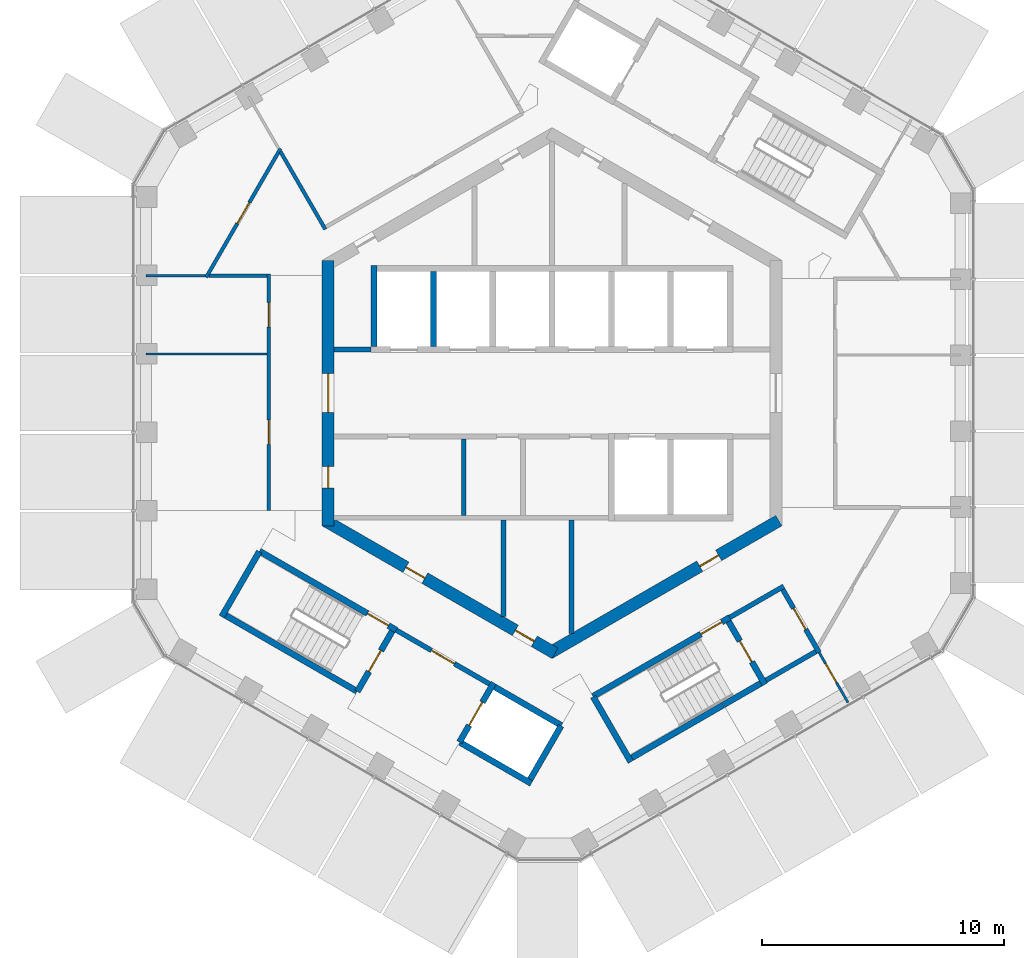
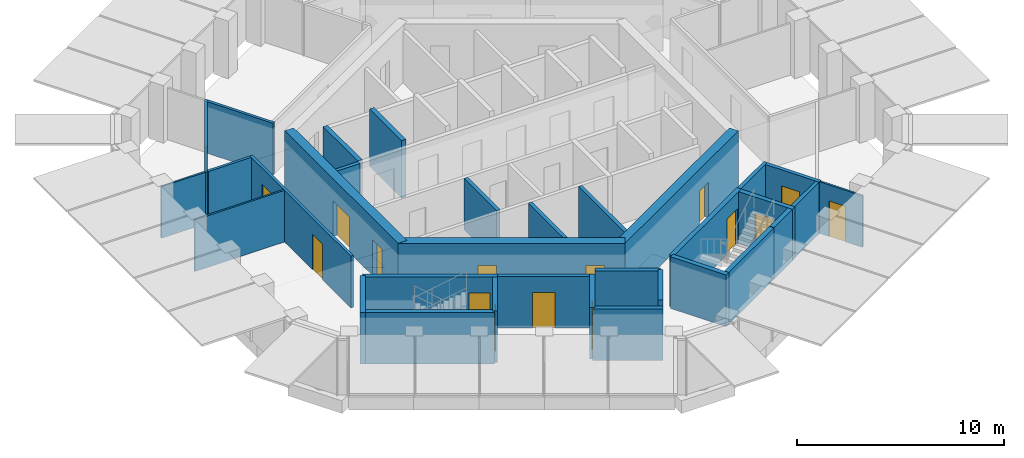
# One storey, part 12 of 17: 33 walls, 16 doors, 16 openings.
"""IFC4 building model written with IfcOpenShell, lengths in metres."""

from ifc_helpers import new_model, si_unit, direction, frame, frame_2d, origin, place, context, subcontext, project, spatial, rectangle, extrude, material, layer, layer_set, type_object, element, fill, save


model = new_model("IFC4")

# Units and contexts
model_context = context("Model", 3, precision=1e-05, world=origin(), true_north=direction((0.0, 1.0)))
body_context = subcontext(model_context, "Body", "Model", "MODEL_VIEW")
ifc_project = project(units=[si_unit("LENGTHUNIT", "METRE"), si_unit("AREAUNIT", "SQUARE_METRE"), si_unit("VOLUMEUNIT", "CUBIC_METRE"), si_unit("PLANEANGLEUNIT", "RADIAN"), si_unit("MASSUNIT", "GRAM", prefix="KILO")], contexts=[model_context])

# Site, building, storey
site_placement = place(None, origin())
site = spatial("IfcSite", under=ifc_project, at=site_placement, CompositionType="ELEMENT")
building_placement = place(site_placement, origin())
building = spatial("IfcBuilding", under=site, at=building_placement, Name="Ayvan Gate Tower", CompositionType="ELEMENT")
storey_placement = place(building_placement, frame((0.0, 0.0, 225.699951171875)))
storey = spatial("IfcBuildingStorey", under=building, at=storey_placement, Name="L60", CompositionType="ELEMENT", Elevation=225.699951171875)

# Wall, openings, doors
ifc_material_1 = material(Name="Concrete C60/75", Category="concrete")
ifc_layer_1 = layer(ifc_material_1, 0.5)
ifc_layer_set_1 = layer_set([ifc_layer_1], Name="Concrete C60/75")
wall_type_1 = type_object("IfcWallType", Name="Core wall 500 C60/75", PredefinedType="SHEAR", material=ifc_layer_set_1)
wall_1_placement = place(storey_placement, frame((-9.25, 5.48486328125, 0.0), z_axis=(0.0, 0.0, 1.0), x_axis=(0.0, -1.0, 0.0)))
wall_1 = element("IfcWall", 1, at=wall_1_placement, inside=storey, type_object=wall_type_1, Name="CORE-L60-3", PredefinedType="SHEAR", context=body_context, shape_type="SweptSolid", body=[
    extrude(rectangle(XDim=10.9697265625, YDim=0.5, at=frame_2d((5.48486328125, 0.0))), origin(), (0.0, 0.0, 1.0), 3.400146484375),
])
opening_1_placement = place(wall_1_placement, frame((8.509765625, 0.0, 0.0)))
opening_1 = element("IfcOpeningElement", 2, at=opening_1_placement, cuts=wall_1, Name="Opening L60-D41", PredefinedType="OPENING", context=body_context, shape_type="SweptSolid", body=[
    extrude(rectangle(XDim=0.89990234375, YDim=2.10009765625, at=frame_2d((0.449951171875, 1.050048828125))), frame((0.0, 0.260009765625, 0.0), z_axis=(0.0, -1.0, 0.0), x_axis=(1.0, 0.0, 0.0)), (0.0, 0.0, 1.0), 0.52001953125),
])
opening_2_placement = place(wall_1_placement, frame((4.684814453125, 0.0, 0.0)))
opening_2 = element("IfcOpeningElement", 3, at=opening_2_placement, cuts=wall_1, Name="Opening L60-D43", PredefinedType="OPENING", context=body_context, shape_type="SweptSolid", body=[
    extrude(rectangle(XDim=1.60009765625, YDim=2.10009765625, at=frame_2d((0.800048828125, 1.050048828125))), frame((0.0, 0.260009765625, 0.0), z_axis=(0.0, -1.0, 0.0), x_axis=(1.0, 0.0, 0.0)), (0.0, 0.0, 1.0), 0.52001953125),
])
ifc_material_2 = material(Name="Timber door leaf", Category="wood")
door_type_1 = type_object("IfcDoorType", Name="DT-1600", OperationType="NOTDEFINED", PredefinedType="DOOR", material=ifc_material_2)
door_1_placement = place(opening_2_placement, origin())
door_1 = element("IfcDoor", 4, at=door_1_placement, inside=storey, type_object=door_type_1, Name="CD-L60-43", OperationType="SINGLE_SWING_LEFT", OverallHeight=2.10009765625, OverallWidth=1.60009765625, PredefinedType="DOOR", context=body_context, shape_type="SweptSolid", body=[
    extrude(rectangle(XDim=1.60009765625, YDim=2.10009765625, at=frame_2d((0.800048828125, 1.050048828125))), frame((0.0, 0.02490234375, 0.0), z_axis=(0.0, -1.0, 0.0), x_axis=(1.0, 0.0, 0.0)), (0.0, 0.0, 1.0), 0.050048828125),
])
fill(opening_2, door_1)
door_type_2 = type_object("IfcDoorType", Name="DT-900", OperationType="NOTDEFINED", PredefinedType="DOOR", material=ifc_material_2)
door_2_placement = place(opening_1_placement, origin())
door_2 = element("IfcDoor", 5, at=door_2_placement, inside=storey, type_object=door_type_2, Name="CD-L60-41", OperationType="SINGLE_SWING_LEFT", OverallHeight=2.10009765625, OverallWidth=0.89990234375, PredefinedType="DOOR", context=body_context, shape_type="SweptSolid", body=[
    extrude(rectangle(XDim=0.89990234375, YDim=2.10009765625, at=frame_2d((0.449951171875, 1.050048828125))), frame((0.0, 0.02490234375, 0.0), z_axis=(0.0, -1.0, 0.0), x_axis=(1.0, 0.0, 0.0)), (0.0, 0.0, 1.0), 0.050048828125),
])
fill(opening_1, door_2)

wall_2_placement = place(storey_placement, frame((-9.375, -5.268310546875, 0.0), z_axis=(0.0, 0.0, 1.0), x_axis=(0.866023993627, -0.500002442456, 0.0)))
wall_2 = element("IfcWall", 6, at=wall_2_placement, inside=storey, type_object=wall_type_1, Name="CORE-L60-4", PredefinedType="SHEAR", context=body_context, shape_type="SweptSolid", body=[
    extrude(rectangle(XDim=10.9697265625, YDim=0.5, at=frame_2d((5.48486328125, 0.0))), origin(), (0.0, 0.0, 1.0), 3.400146484375),
])
opening_3_placement = place(wall_2_placement, frame((3.857177734375, 0.0, 0.0)))
opening_3 = element("IfcOpeningElement", 7, at=opening_3_placement, cuts=wall_2, Name="Opening L60-D38", PredefinedType="OPENING", context=body_context, shape_type="SweptSolid", body=[
    extrude(rectangle(XDim=0.89990234375, YDim=2.10009765625, at=frame_2d((0.449951171875, 1.050048828125))), frame((0.0, 0.260009765625, 0.0), z_axis=(0.0, -1.0, 0.0), x_axis=(1.0, 0.0, 0.0)), (0.0, 0.0, 1.0), 0.52001953125),
])
opening_4_placement = place(wall_2_placement, frame((9.07568359375, 0.0, 0.0)))
opening_4 = element("IfcOpeningElement", 8, at=opening_4_placement, cuts=wall_2, Name="Opening L60-D39", PredefinedType="OPENING", context=body_context, shape_type="SweptSolid", body=[
    extrude(rectangle(XDim=0.89990234375, YDim=2.10009765625, at=frame_2d((0.449951171875, 1.050048828125))), frame((0.0, 0.260009765625, 0.0), z_axis=(0.0, -1.0, 0.0), x_axis=(1.0, 0.0, 0.0)), (0.0, 0.0, 1.0), 0.52001953125),
])
door_3_placement = place(opening_3_placement, origin())
door_3 = element("IfcDoor", 9, at=door_3_placement, inside=storey, type_object=door_type_2, Name="CD-L60-38", OperationType="SINGLE_SWING_RIGHT", OverallHeight=2.10009765625, OverallWidth=0.89990234375, PredefinedType="DOOR", context=body_context, shape_type="SweptSolid", body=[
    extrude(rectangle(XDim=0.89990234375, YDim=2.10009765625, at=frame_2d((0.449951171875, 1.050048828125))), frame((0.0, 0.02490234375, 0.0), z_axis=(0.0, -1.0, 0.0), x_axis=(1.0, 0.0, 0.0)), (0.0, 0.0, 1.0), 0.050048828125),
])
fill(opening_3, door_3)
door_4_placement = place(opening_4_placement, origin())
door_4 = element("IfcDoor", 10, at=door_4_placement, inside=storey, type_object=door_type_2, Name="CD-L60-39", OperationType="SINGLE_SWING_LEFT", OverallHeight=2.10009765625, OverallWidth=0.89990234375, PredefinedType="DOOR", context=body_context, shape_type="SweptSolid", body=[
    extrude(rectangle(XDim=0.89990234375, YDim=2.10009765625, at=frame_2d((0.449951171875, 1.050048828125))), frame((0.0, 0.02490234375, 0.0), z_axis=(0.0, -1.0, 0.0), x_axis=(1.0, 0.0, 0.0)), (0.0, 0.0, 1.0), 0.050048828125),
])
fill(opening_4, door_4)

# Wall, opening, door
wall_3_placement = place(storey_placement, frame((-0.125, -10.753173828125, 0.0), z_axis=(0.0, 0.0, 1.0), x_axis=(0.866023993627, 0.500002442456, 0.0)))
wall_3 = element("IfcWall", 11, at=wall_3_placement, inside=storey, type_object=wall_type_1, Name="CORE-L60-5", PredefinedType="SHEAR", context=body_context, shape_type="SweptSolid", body=[
    extrude(rectangle(XDim=10.9697265625, YDim=0.5, at=frame_2d((5.48486328125, 0.0))), origin(), (0.0, 0.0, 1.0), 3.400146484375),
])
opening_5_placement = place(wall_3_placement, frame((7.1953125, 0.0, 0.0)))
opening_5 = element("IfcOpeningElement", 12, at=opening_5_placement, cuts=wall_3, Name="Opening L60-D40", PredefinedType="OPENING", context=body_context, shape_type="SweptSolid", body=[
    extrude(rectangle(XDim=0.89990234375, YDim=2.10009765625, at=frame_2d((0.449951171875, 1.050048828125))), frame((0.0, 0.260009765625, 0.0), z_axis=(0.0, -1.0, 0.0), x_axis=(1.0, 0.0, 0.0)), (0.0, 0.0, 1.0), 0.52001953125),
])
door_5_placement = place(opening_5_placement, origin())
door_5 = element("IfcDoor", 13, at=door_5_placement, inside=storey, type_object=door_type_2, Name="CD-L60-40", OperationType="SINGLE_SWING_RIGHT", OverallHeight=2.10009765625, OverallWidth=0.89990234375, PredefinedType="DOOR", context=body_context, shape_type="SweptSolid", body=[
    extrude(rectangle(XDim=0.89990234375, YDim=2.10009765625, at=frame_2d((0.449951171875, 1.050048828125))), frame((0.0, 0.02490234375, 0.0), z_axis=(0.0, -1.0, 0.0), x_axis=(1.0, 0.0, 0.0)), (0.0, 0.0, 1.0), 0.050048828125),
])
fill(opening_5, door_5)

ifc_material_3 = material(Name="Plasterboard on steel stud", Category="steel")
ifc_layer_2 = layer(ifc_material_3, 0.14990234375)
ifc_layer_set_2 = layer_set([ifc_layer_2], Name="Plasterboard on steel stud")
wall_type_2 = type_object("IfcWallType", Name="WT-CORR-150", PredefinedType="PARTITIONING", material=ifc_layer_set_2)
wall_4_placement = place(storey_placement, frame((-14.2880859375, 4.786865234375, 0.0), z_axis=(0.0, 0.0, 1.0), x_axis=(0.499984068593, 0.866034601591, 0.0)))
wall_4 = element("IfcWall", 14, at=wall_4_placement, inside=storey, type_object=wall_type_2, Name="IW-L60-001", PredefinedType="PARTITIONING", context=body_context, shape_type="SweptSolid", body=[
    extrude(rectangle(XDim=6.139404296875, YDim=0.14990234375, at=frame_2d((3.06982421875, 0.0))), origin(), (0.0, 0.0, 1.0), 3.050048828125),
])
opening_6_placement = place(wall_4_placement, frame((2.569580078125, 0.0, 0.0)))
opening_6 = element("IfcOpeningElement", 15, at=opening_6_placement, cuts=wall_4, Name="Opening L60-D28", PredefinedType="OPENING", context=body_context, shape_type="SweptSolid", body=[
    extrude(rectangle(XDim=1.0, YDim=2.10009765625, at=frame_2d((0.5, 1.050048828125))), frame((0.0, 0.0849609375, 0.0), z_axis=(0.0, -1.0, 0.0), x_axis=(1.0, 0.0, 0.0)), (0.0, 0.0, 1.0), 0.169921875),
])
door_type_3 = type_object("IfcDoorType", Name="DT-1000", OperationType="NOTDEFINED", PredefinedType="DOOR", material=ifc_material_2)
door_6_placement = place(opening_6_placement, origin())
door_6 = element("IfcDoor", 16, at=door_6_placement, inside=storey, type_object=door_type_3, Name="ID-L60-028", OperationType="SINGLE_SWING_RIGHT", OverallHeight=2.10009765625, OverallWidth=1.0, PredefinedType="DOOR", context=body_context, shape_type="SweptSolid", body=[
    extrude(rectangle(XDim=1.0, YDim=2.10009765625, at=frame_2d((0.5, 1.050048828125))), frame((0.0, 0.02490234375, 0.0), z_axis=(0.0, -1.0, 0.0), x_axis=(1.0, 0.0, 0.0)), (0.0, 0.0, 1.0), 0.050048828125),
])
fill(opening_6, door_6)

# Wall, openings, doors
wall_5_placement = place(storey_placement, frame((-11.699951171875, -4.851806640625, 0.0), z_axis=(0.0, 0.0, 1.0), x_axis=(0.0, 1.0, 0.0)))
wall_5 = element("IfcWall", 17, at=wall_5_placement, inside=storey, type_object=wall_type_2, Name="IW-L60-005", PredefinedType="PARTITIONING", context=body_context, shape_type="SweptSolid", body=[
    extrude(rectangle(XDim=9.77880859375, YDim=0.14990234375, at=frame_2d((4.889404296875, 0.0))), origin(), (0.0, 0.0, 1.0), 3.050048828125),
])
opening_7_placement = place(wall_5_placement, frame((7.58642578125, 0.0, 0.0)))
opening_7 = element("IfcOpeningElement", 18, at=opening_7_placement, cuts=wall_5, Name="Opening L60-D29", PredefinedType="OPENING", context=body_context, shape_type="SweptSolid", body=[
    extrude(rectangle(XDim=1.0, YDim=2.10009765625, at=frame_2d((0.5, 1.050048828125))), frame((0.0, 0.0849609375, 0.0), z_axis=(0.0, -1.0, 0.0), x_axis=(1.0, 0.0, 0.0)), (0.0, 0.0, 1.0), 0.169921875),
])
opening_8_placement = place(wall_5_placement, frame((2.734130859375, 0.0, 0.0)))
opening_8 = element("IfcOpeningElement", 19, at=opening_8_placement, cuts=wall_5, Name="Opening L60-D30", PredefinedType="OPENING", context=body_context, shape_type="SweptSolid", body=[
    extrude(rectangle(XDim=1.0, YDim=2.10009765625, at=frame_2d((0.5, 1.050048828125))), frame((0.0, 0.0849609375, 0.0), z_axis=(0.0, -1.0, 0.0), x_axis=(1.0, 0.0, 0.0)), (0.0, 0.0, 1.0), 0.169921875),
])
door_7_placement = place(opening_7_placement, origin())
door_7 = element("IfcDoor", 20, at=door_7_placement, inside=storey, type_object=door_type_3, Name="ID-L60-029", OperationType="SINGLE_SWING_LEFT", OverallHeight=2.10009765625, OverallWidth=1.0, PredefinedType="DOOR", context=body_context, shape_type="SweptSolid", body=[
    extrude(rectangle(XDim=1.0, YDim=2.10009765625, at=frame_2d((0.5, 1.050048828125))), frame((0.0, 0.02490234375, 0.0), z_axis=(0.0, -1.0, 0.0), x_axis=(1.0, 0.0, 0.0)), (0.0, 0.0, 1.0), 0.050048828125),
])
fill(opening_7, door_7)
door_8_placement = place(opening_8_placement, origin())
door_8 = element("IfcDoor", 21, at=door_8_placement, inside=storey, type_object=door_type_3, Name="ID-L60-030", OperationType="SINGLE_SWING_RIGHT", OverallHeight=2.10009765625, OverallWidth=1.0, PredefinedType="DOOR", context=body_context, shape_type="SweptSolid", body=[
    extrude(rectangle(XDim=1.0, YDim=2.10009765625, at=frame_2d((0.5, 1.050048828125))), frame((0.0, 0.02490234375, 0.0), z_axis=(0.0, -1.0, 0.0), x_axis=(1.0, 0.0, 0.0)), (0.0, 0.0, 1.0), 0.050048828125),
])
fill(opening_8, door_8)

# Walls
wall_6_placement = place(storey_placement, frame((-11.77490234375, 4.851806640625, 0.0), z_axis=(0.0, 0.0, 1.0), x_axis=(-1.0, 0.0, 0.0)))
element("IfcWall", 22, at=wall_6_placement, inside=storey, type_object=wall_type_2, Name="IW-L60-007", PredefinedType="PARTITIONING", context=body_context, shape_type="SweptSolid", body=[
    extrude(rectangle(XDim=2.40087890625, YDim=0.14990234375, at=frame_2d((1.200439453125, 0.0))), origin(), (0.0, 0.0, 1.0), 3.050048828125),
])
wall_7_placement = place(storey_placement, frame((-11.218505859375, 9.973876953125, 0.0), z_axis=(0.0, 0.0, 1.0), x_axis=(0.500040243496, -0.866002167944, 0.0)))
element("IfcWall", 23, at=wall_7_placement, inside=storey, type_object=wall_type_2, Name="IW-L60-008", PredefinedType="PARTITIONING", context=body_context, shape_type="SweptSolid", body=[
    extrude(rectangle(XDim=3.701904296875, YDim=0.14990234375, at=frame_2d((1.85107421875, 0.0))), origin(), (0.0, 0.0, 1.0), 3.050048828125),
])
ifc_layer_3 = layer(ifc_material_3, 0.10009765625)
ifc_layer_set_3 = layer_set([ifc_layer_3], Name="Plasterboard on steel stud")
wall_type_3 = type_object("IfcWallType", Name="WT-PART-100", PredefinedType="PARTITIONING", material=ifc_layer_set_3)
wall_8_placement = place(storey_placement, frame((-14.32568359375, 4.851806640625, 0.0), z_axis=(0.0, 0.0, 1.0), x_axis=(-1.0, 0.0, 0.0)))
element("IfcWall", 24, at=wall_8_placement, inside=storey, type_object=wall_type_3, Name="IW-L60-000", PredefinedType="PARTITIONING", context=body_context, shape_type="SweptSolid", body=[
    extrude(rectangle(XDim=2.443115234375, YDim=0.10009765625, at=frame_2d((1.2216796875, 0.0))), origin(), (0.0, 0.0, 1.0), 3.050048828125),
])
wall_9_placement = place(storey_placement, frame((-11.77490234375, 1.6171875, 0.0), z_axis=(0.0, 0.0, 1.0), x_axis=(-1.0, 0.0, 0.0)))
element("IfcWall", 25, at=wall_9_placement, inside=storey, type_object=wall_type_3, Name="IW-L60-006", PredefinedType="PARTITIONING", context=body_context, shape_type="SweptSolid", body=[
    extrude(rectangle(XDim=4.993896484375, YDim=0.10009765625, at=frame_2d((2.4970703125, 0.0))), origin(), (0.0, 0.0, 1.0), 3.050048828125),
])

# Wall, opening, door
wall_10_placement = place(storey_placement, frame((12.232177734375, -12.786865234375, 0.0), z_axis=(0.0, 0.0, 1.0), x_axis=(-0.499940577336, 0.866059708757, 0.0)))
wall_10 = element("IfcWall", 26, at=wall_10_placement, inside=storey, type_object=wall_type_3, Name="IW-L60-070", PredefinedType="PARTITIONING", context=body_context, shape_type="SweptSolid", body=[
    extrude(rectangle(XDim=2.389892578125, YDim=0.10009765625, at=frame_2d((1.19482421875, 0.0))), origin(), (0.0, 0.0, 1.0), 3.050048828125),
])
opening_9_placement = place(wall_10_placement, frame((0.95556640625, 0.0, 0.0)))
opening_9 = element("IfcOpeningElement", 27, at=opening_9_placement, cuts=wall_10, Name="Opening L60-D32", PredefinedType="OPENING", context=body_context, shape_type="SweptSolid", body=[
    extrude(rectangle(XDim=0.89990234375, YDim=2.10009765625, at=frame_2d((0.449951171875, 1.050048828125))), frame((0.0, 0.06005859375, 0.0), z_axis=(0.0, -1.0, 0.0), x_axis=(1.0, 0.0, 0.0)), (0.0, 0.0, 1.0), 0.1201171875),
])
door_9_placement = place(opening_9_placement, origin())
door_9 = element("IfcDoor", 28, at=door_9_placement, inside=storey, type_object=door_type_2, Name="ID-L60-032", OperationType="SINGLE_SWING_RIGHT", OverallHeight=2.10009765625, OverallWidth=0.89990234375, PredefinedType="DOOR", context=body_context, shape_type="SweptSolid", body=[
    extrude(rectangle(XDim=0.89990234375, YDim=2.10009765625, at=frame_2d((0.449951171875, 1.050048828125))), frame((0.0, 0.02490234375, 0.0), z_axis=(0.0, -1.0, 0.0), x_axis=(1.0, 0.0, 0.0)), (0.0, 0.0, 1.0), 0.050048828125),
])
fill(opening_9, door_9)

# Wall
ifc_layer_4 = layer(ifc_material_3, 0.199951171875)
ifc_layer_set_4 = layer_set([ifc_layer_4], Name="Plasterboard on steel stud")
wall_type_4 = type_object("IfcWallType", Name="WT-RATED-200", PredefinedType="PARTITIONING", material=ifc_layer_set_4)
wall_11_placement = place(storey_placement, frame((-9.0, 1.800048828125, 0.0), z_axis=(0.0, 0.0, 1.0), x_axis=(1.0, 0.0, 0.0)))
element("IfcWall", 29, at=wall_11_placement, inside=storey, type_object=wall_type_4, Name="IW-L60-010", PredefinedType="PARTITIONING", context=body_context, shape_type="SweptSolid", body=[
    extrude(rectangle(XDim=1.525146484375, YDim=0.199951171875, at=frame_2d((0.7626953125, 0.0))), origin(), (0.0, 0.0, 1.0), 3.050048828125),
])

# Wall, opening, door
wall_12_placement = place(storey_placement, frame((-6.4345703125, -9.794921875, 0.0), z_axis=(0.0, 0.0, 1.0), x_axis=(0.866012907634, -0.500021643343, 0.0)))
wall_12 = element("IfcWall", 30, at=wall_12_placement, inside=storey, type_object=wall_type_4, Name="IW-L60-017", PredefinedType="PARTITIONING", context=body_context, shape_type="SweptSolid", body=[
    extrude(rectangle(XDim=4.449951171875, YDim=0.199951171875, at=frame_2d((2.22509765625, 0.0))), origin(), (0.0, 0.0, 1.0), 3.050048828125),
])
opening_10_placement = place(wall_12_placement, frame((1.675048828125, 0.0, 0.0)))
opening_10 = element("IfcOpeningElement", 31, at=opening_10_placement, cuts=wall_12, Name="Opening L60-D17", PredefinedType="OPENING", context=body_context, shape_type="SweptSolid", body=[
    extrude(rectangle(XDim=1.10009765625, YDim=2.10009765625, at=frame_2d((0.550048828125, 1.050048828125))), frame((0.0, 0.10986328125, 0.0), z_axis=(0.0, -1.0, 0.0), x_axis=(1.0, 0.0, 0.0)), (0.0, 0.0, 1.0), 0.219970703125),
])
door_type_4 = type_object("IfcDoorType", Name="DT-1100", OperationType="NOTDEFINED", PredefinedType="DOOR", material=ifc_material_2)
door_10_placement = place(opening_10_placement, origin())
door_10 = element("IfcDoor", 32, at=door_10_placement, inside=storey, type_object=door_type_4, Name="ID-L60-017", OperationType="SINGLE_SWING_LEFT", OverallHeight=2.10009765625, OverallWidth=1.10009765625, PredefinedType="DOOR", context=body_context, shape_type="SweptSolid", body=[
    extrude(rectangle(XDim=1.10009765625, YDim=2.10009765625, at=frame_2d((0.550048828125, 1.050048828125))), frame((0.0, 0.02490234375, 0.0), z_axis=(0.0, -1.0, 0.0), x_axis=(1.0, 0.0, 0.0)), (0.0, 0.0, 1.0), 0.050048828125),
])
fill(opening_10, door_10)

# Walls
wall_13_placement = place(storey_placement, frame((-3.64990234375, -1.89990234375, 0.0), z_axis=(0.0, 0.0, 1.0), x_axis=(0.0, -1.0, 0.0)))
element("IfcWall", 33, at=wall_13_placement, inside=storey, type_object=wall_type_4, Name="IW-L60-019", PredefinedType="PARTITIONING", context=body_context, shape_type="SweptSolid", body=[
    extrude(rectangle(XDim=3.150146484375, YDim=0.199951171875, at=frame_2d((1.5751953125, 0.0))), origin(), (0.0, 0.0, 1.0), 3.050048828125),
])
wall_14_placement = place(storey_placement, frame((-2.0, -5.25, 0.0), z_axis=(0.0, 0.0, 1.0), x_axis=(0.0, -1.0, 0.0)))
element("IfcWall", 34, at=wall_14_placement, inside=storey, type_object=wall_type_4, Name="IW-L60-027", PredefinedType="PARTITIONING", context=body_context, shape_type="SweptSolid", body=[
    extrude(rectangle(XDim=3.987548828125, YDim=0.199951171875, at=frame_2d((1.99365234375, 0.0))), origin(), (0.0, 0.0, 1.0), 3.050048828125),
])
wall_15_placement = place(storey_placement, frame((0.800048828125, -5.25, 0.0), z_axis=(0.0, 0.0, 1.0), x_axis=(0.0, -1.0, 0.0)))
element("IfcWall", 35, at=wall_15_placement, inside=storey, type_object=wall_type_4, Name="IW-L60-036", PredefinedType="PARTITIONING", context=body_context, shape_type="SweptSolid", body=[
    extrude(rectangle(XDim=4.680419921875, YDim=0.199951171875, at=frame_2d((2.34033203125, 0.0))), origin(), (0.0, 0.0, 1.0), 3.050048828125),
])
wall_16_placement = place(storey_placement, frame((7.343994140625, -9.27001953125, 0.0), z_axis=(0.0, 0.0, 1.0), x_axis=(0.866005588531, 0.500034319456, 0.0)))
element("IfcWall", 36, at=wall_16_placement, inside=storey, type_object=wall_type_4, Name="IW-L60-056", PredefinedType="PARTITIONING", context=body_context, shape_type="SweptSolid", body=[
    extrude(rectangle(XDim=2.574951171875, YDim=0.199951171875, at=frame_2d((1.28759765625, 0.0))), origin(), (0.0, 0.0, 1.0), 3.050048828125),
])

# Wall, opening, door
wall_17_placement = place(storey_placement, frame((9.537353515625, -8.119140625, 0.0), z_axis=(0.0, 0.0, 1.0), x_axis=(0.499990139034, -0.866031096941, 0.0)))
wall_17 = element("IfcWall", 37, at=wall_17_placement, inside=storey, type_object=wall_type_4, Name="IW-L60-065", PredefinedType="PARTITIONING", context=body_context, shape_type="SweptSolid", body=[
    extrude(rectangle(XDim=3.0, YDim=0.199951171875, at=frame_2d((1.5, 0.0))), origin(), (0.0, 0.0, 1.0), 3.050048828125),
])
opening_11_placement = place(wall_17_placement, frame((0.896240234375, 0.0, 0.0)))
opening_11 = element("IfcOpeningElement", 38, at=opening_11_placement, cuts=wall_17, Name="Opening L60-D20", PredefinedType="OPENING", context=body_context, shape_type="SweptSolid", body=[
    extrude(rectangle(XDim=1.0, YDim=2.10009765625, at=frame_2d((0.5, 1.050048828125))), frame((0.0, 0.10986328125, 0.0), z_axis=(0.0, -1.0, 0.0), x_axis=(1.0, 0.0, 0.0)), (0.0, 0.0, 1.0), 0.219970703125),
])
door_11_placement = place(opening_11_placement, origin())
door_11 = element("IfcDoor", 39, at=door_11_placement, inside=storey, type_object=door_type_3, Name="ID-L60-020", OperationType="SINGLE_SWING_RIGHT", OverallHeight=2.10009765625, OverallWidth=1.0, PredefinedType="DOOR", context=body_context, shape_type="SweptSolid", body=[
    extrude(rectangle(XDim=1.0, YDim=2.10009765625, at=frame_2d((0.5, 1.050048828125))), frame((0.0, 0.02490234375, 0.0), z_axis=(0.0, -1.0, 0.0), x_axis=(1.0, 0.0, 0.0)), (0.0, 0.0, 1.0), 0.050048828125),
])
fill(opening_11, door_11)

# Walls
wall_18_placement = place(storey_placement, frame((10.900634765625, -10.6806640625, 0.0), z_axis=(0.0, 0.0, 1.0), x_axis=(-0.866007538022, -0.500030943131, 0.0)))
element("IfcWall", 40, at=wall_18_placement, inside=storey, type_object=wall_type_4, Name="IW-L60-066", PredefinedType="PARTITIONING", context=body_context, shape_type="SweptSolid", body=[
    extrude(rectangle(XDim=2.374755859375, YDim=0.199951171875, at=frame_2d((1.1875, 0.0))), origin(), (0.0, 0.0, 1.0), 3.050048828125),
])
ifc_material_4 = material(Name="Concrete C50/60", Category="concrete")
ifc_layer_5 = layer(ifc_material_4, 0.25)
ifc_layer_set_5 = layer_set([ifc_layer_5], Name="Concrete C50/60")
wall_type_5 = type_object("IfcWallType", Name="WT-RC-250", PredefinedType="SHEAR", material=ifc_layer_set_5)
wall_19_placement = place(storey_placement, frame((-13.64794921875, -9.23876953125, 0.0), z_axis=(0.0, 0.0, 1.0), x_axis=(0.500003782172, 0.866023220135, 0.0)))
element("IfcWall", 41, at=wall_19_placement, inside=storey, type_object=wall_type_5, Name="IW-L60-002", PredefinedType="SHEAR", context=body_context, shape_type="SweptSolid", body=[
    extrude(rectangle(XDim=3.10498046875, YDim=0.25, at=frame_2d((1.552490234375, 0.0))), origin(), (0.0, 0.0, 1.0), 3.050048828125),
])

# Wall, opening, door
wall_20_placement = place(storey_placement, frame((-12.08544921875, -6.532470703125, 0.0), z_axis=(0.0, 0.0, 1.0), x_axis=(0.866031063448, -0.499990197047, 0.0)))
wall_20 = element("IfcWall", 42, at=wall_20_placement, inside=storey, type_object=wall_type_5, Name="IW-L60-004", PredefinedType="SHEAR", context=body_context, shape_type="SweptSolid", body=[
    extrude(rectangle(XDim=6.525146484375, YDim=0.25, at=frame_2d((3.2626953125, 0.0))), origin(), (0.0, 0.0, 1.0), 3.050048828125),
])
opening_12_placement = place(wall_20_placement, frame((5.14990234375, 0.0, 0.0)))
opening_12 = element("IfcOpeningElement", 43, at=opening_12_placement, cuts=wall_20, Name="Opening L60-D15", PredefinedType="OPENING", context=body_context, shape_type="SweptSolid", body=[
    extrude(rectangle(XDim=1.0, YDim=2.10009765625, at=frame_2d((0.5, 1.050048828125))), frame((0.0, 0.135009765625, 0.0), z_axis=(0.0, -1.0, 0.0), x_axis=(1.0, 0.0, 0.0)), (0.0, 0.0, 1.0), 0.27001953125),
])
door_12_placement = place(opening_12_placement, origin())
door_12 = element("IfcDoor", 44, at=door_12_placement, inside=storey, type_object=door_type_3, Name="ID-L60-015", OperationType="SINGLE_SWING_LEFT", OverallHeight=2.10009765625, OverallWidth=1.0, PredefinedType="DOOR", context=body_context, shape_type="SweptSolid", body=[
    extrude(rectangle(XDim=1.0, YDim=2.10009765625, at=frame_2d((0.5, 1.050048828125))), frame((0.0, 0.02490234375, 0.0), z_axis=(0.0, -1.0, 0.0), x_axis=(1.0, 0.0, 0.0)), (0.0, 0.0, 1.0), 0.050048828125),
])
fill(opening_12, door_12)

# Walls
wall_21_placement = place(storey_placement, frame((-8.06005859375, -12.320556640625, 0.0), z_axis=(0.0, 0.0, 1.0), x_axis=(-0.866029591389, 0.499992746786, 0.0)))
element("IfcWall", 45, at=wall_21_placement, inside=storey, type_object=wall_type_5, Name="IW-L60-012", PredefinedType="SHEAR", context=body_context, shape_type="SweptSolid", body=[
    extrude(rectangle(XDim=6.2548828125, YDim=0.25, at=frame_2d((3.12744140625, 0.0))), origin(), (0.0, 0.0, 1.0), 3.050048828125),
])
wall_22_placement = place(storey_placement, frame((-7.35009765625, 1.925048828125, 0.0), z_axis=(0.0, 0.0, 1.0), x_axis=(0.0, 1.0, 0.0)))
element("IfcWall", 46, at=wall_22_placement, inside=storey, type_object=wall_type_5, Name="IW-L60-014", PredefinedType="SHEAR", context=body_context, shape_type="SweptSolid", body=[
    extrude(rectangle(XDim=3.349853515625, YDim=0.25, at=frame_2d((1.6748046875, 0.0))), origin(), (0.0, 0.0, 1.0), 3.050048828125),
])

# Wall, opening, door
wall_23_placement = place(storey_placement, frame((-6.605224609375, -9.8408203125, 0.0), z_axis=(0.0, 0.0, 1.0), x_axis=(-0.500011588718, -0.866018712932, 0.0)))
wall_23 = element("IfcWall", 47, at=wall_23_placement, inside=storey, type_object=wall_type_5, Name="IW-L60-016", PredefinedType="SHEAR", context=body_context, shape_type="SweptSolid", body=[
    extrude(rectangle(XDim=2.875, YDim=0.25, at=frame_2d((1.4375, 0.0))), origin(), (0.0, 0.0, 1.0), 3.050048828125),
])
opening_13_placement = place(wall_23_placement, frame((0.923095703125, 0.0, 0.0)))
opening_13 = element("IfcOpeningElement", 48, at=opening_13_placement, cuts=wall_23, Name="Opening L60-D16", PredefinedType="OPENING", context=body_context, shape_type="SweptSolid", body=[
    extrude(rectangle(XDim=1.0, YDim=2.10009765625, at=frame_2d((0.5, 1.050048828125))), frame((0.0, 0.135009765625, 0.0), z_axis=(0.0, -1.0, 0.0), x_axis=(1.0, 0.0, 0.0)), (0.0, 0.0, 1.0), 0.27001953125),
])
door_13_placement = place(opening_13_placement, origin())
door_13 = element("IfcDoor", 49, at=door_13_placement, inside=storey, type_object=door_type_3, Name="ID-L60-016", OperationType="SINGLE_SWING_RIGHT", OverallHeight=2.10009765625, OverallWidth=1.0, PredefinedType="DOOR", context=body_context, shape_type="SweptSolid", body=[
    extrude(rectangle(XDim=1.0, YDim=2.10009765625, at=frame_2d((0.5, 1.050048828125))), frame((0.0, 0.02490234375, 0.0), z_axis=(0.0, -1.0, 0.0), x_axis=(1.0, 0.0, 0.0)), (0.0, 0.0, 1.0), 0.050048828125),
])
fill(opening_13, door_13)

# Wall
wall_24_placement = place(storey_placement, frame((-4.89990234375, 5.02490234375, 0.0), z_axis=(0.0, 0.0, 1.0), x_axis=(0.0, -1.0, 0.0)))
element("IfcWall", 50, at=wall_24_placement, inside=storey, type_object=wall_type_5, Name="IW-L60-018", PredefinedType="SHEAR", context=body_context, shape_type="SweptSolid", body=[
    extrude(rectangle(XDim=3.099853515625, YDim=0.25, at=frame_2d((1.5498046875, 0.0))), origin(), (0.0, 0.0, 1.0), 3.400146484375),
])

# Wall, opening, door
wall_25_placement = place(storey_placement, frame((-2.409912109375, -11.97412109375, 0.0), z_axis=(0.0, 0.0, 1.0), x_axis=(-0.49998675294, -0.866033051843, 0.0)))
wall_25 = element("IfcWall", 51, at=wall_25_placement, inside=storey, type_object=wall_type_5, Name="IW-L60-024", PredefinedType="SHEAR", context=body_context, shape_type="SweptSolid", body=[
    extrude(rectangle(XDim=2.8251953125, YDim=0.25, at=frame_2d((1.41259765625, 0.0))), origin(), (0.0, 0.0, 1.0), 3.050048828125),
])
opening_14_placement = place(wall_25_placement, frame((0.925537109375, 0.0, 0.0)))
opening_14 = element("IfcOpeningElement", 52, at=opening_14_placement, cuts=wall_25, Name="Opening L60-LD-FF2", PredefinedType="OPENING", context=body_context, shape_type="SweptSolid", body=[
    extrude(rectangle(XDim=1.10009765625, YDim=2.10009765625, at=frame_2d((0.550048828125, 1.050048828125))), frame((0.0, 0.135009765625, 0.0), z_axis=(0.0, -1.0, 0.0), x_axis=(1.0, 0.0, 0.0)), (0.0, 0.0, 1.0), 0.27001953125),
])
ifc_material_5 = material(Name="Stainless steel landing door", Category="steel")
door_type_5 = type_object("IfcDoorType", Name="DT-LANDING-1100", OperationType="SLIDING_TO_LEFT", PredefinedType="DOOR", material=ifc_material_5)
door_14_placement = place(opening_14_placement, origin())
door_14 = element("IfcDoor", 53, at=door_14_placement, inside=storey, type_object=door_type_5, Name="ID-L60-018", OperationType="SLIDING_TO_LEFT", OverallHeight=2.10009765625, OverallWidth=1.10009765625, PredefinedType="DOOR", context=body_context, shape_type="SweptSolid", body=[
    extrude(rectangle(XDim=1.10009765625, YDim=2.10009765625, at=frame_2d((0.550048828125, 1.050048828125))), frame((0.0, 0.02490234375, 0.0), z_axis=(0.0, -1.0, 0.0), x_axis=(1.0, 0.0, 0.0)), (0.0, 0.0, 1.0), 0.050048828125),
])
fill(opening_14, door_14)

# Walls
wall_26_placement = place(storey_placement, frame((-2.3642578125, -12.14501953125, 0.0), z_axis=(0.0, 0.0, 1.0), x_axis=(0.866048579423, -0.499959856469, 0.0)))
element("IfcWall", 54, at=wall_26_placement, inside=storey, type_object=wall_type_5, Name="IW-L60-025", PredefinedType="SHEAR", context=body_context, shape_type="SweptSolid", body=[
    extrude(rectangle(XDim=3.175048828125, YDim=0.25, at=frame_2d((1.58740234375, 0.0))), origin(), (0.0, 0.0, 1.0), 3.400146484375),
])
wall_27_placement = place(storey_placement, frame((-0.8564453125, -16.13330078125, 0.0), z_axis=(0.0, 0.0, 1.0), x_axis=(-0.866032748241, 0.499987278812, 0.0)))
element("IfcWall", 55, at=wall_27_placement, inside=storey, type_object=wall_type_5, Name="IW-L60-031", PredefinedType="SHEAR", context=body_context, shape_type="SweptSolid", body=[
    extrude(rectangle(XDim=3.40478515625, YDim=0.25, at=frame_2d((1.702392578125, 0.0))), origin(), (0.0, 0.0, 1.0), 3.050048828125),
])
wall_28_placement = place(storey_placement, frame((0.37548828125, -13.749755859375, 0.0), z_axis=(0.0, 0.0, 1.0), x_axis=(-0.50003400563, -0.866005769735, 0.0)))
element("IfcWall", 56, at=wall_28_placement, inside=storey, type_object=wall_type_5, Name="IW-L60-035", PredefinedType="SHEAR", context=body_context, shape_type="SweptSolid", body=[
    extrude(rectangle(XDim=2.554931640625, YDim=0.25, at=frame_2d((1.27734375, 0.0))), origin(), (0.0, 0.0, 1.0), 3.400146484375),
])

# Wall, opening, door
wall_29_placement = place(storey_placement, frame((1.693115234375, -12.532470703125, 0.0), z_axis=(0.0, 0.0, 1.0), x_axis=(0.866031063448, 0.499990197047, 0.0)))
wall_29 = element("IfcWall", 57, at=wall_29_placement, inside=storey, type_object=wall_type_5, Name="IW-L60-038", PredefinedType="SHEAR", context=body_context, shape_type="SweptSolid", body=[
    extrude(rectangle(XDim=6.525146484375, YDim=0.25, at=frame_2d((3.2626953125, 0.0))), origin(), (0.0, 0.0, 1.0), 3.050048828125),
])
opening_15_placement = place(wall_29_placement, frame((5.14990234375, 0.0, 0.0)))
opening_15 = element("IfcOpeningElement", 58, at=opening_15_placement, cuts=wall_29, Name="Opening L60-D19", PredefinedType="OPENING", context=body_context, shape_type="SweptSolid", body=[
    extrude(rectangle(XDim=1.0, YDim=2.10009765625, at=frame_2d((0.5, 1.050048828125))), frame((0.0, 0.135009765625, 0.0), z_axis=(0.0, -1.0, 0.0), x_axis=(1.0, 0.0, 0.0)), (0.0, 0.0, 1.0), 0.27001953125),
])
door_15_placement = place(opening_15_placement, origin())
door_15 = element("IfcDoor", 59, at=door_15_placement, inside=storey, type_object=door_type_3, Name="ID-L60-019", OperationType="SINGLE_SWING_LEFT", OverallHeight=2.10009765625, OverallWidth=1.0, PredefinedType="DOOR", context=body_context, shape_type="SweptSolid", body=[
    extrude(rectangle(XDim=1.0, YDim=2.10009765625, at=frame_2d((0.5, 1.050048828125))), frame((0.0, 0.02490234375, 0.0), z_axis=(0.0, -1.0, 0.0), x_axis=(1.0, 0.0, 0.0)), (0.0, 0.0, 1.0), 0.050048828125),
])
fill(opening_15, door_15)

# Walls
wall_30_placement = place(storey_placement, frame((3.255615234375, -15.23876953125, 0.0), z_axis=(0.0, 0.0, 1.0), x_axis=(-0.500003782172, 0.866023220135, 0.0)))
element("IfcWall", 60, at=wall_30_placement, inside=storey, type_object=wall_type_5, Name="IW-L60-045", PredefinedType="SHEAR", context=body_context, shape_type="SweptSolid", body=[
    extrude(rectangle(XDim=3.10498046875, YDim=0.25, at=frame_2d((1.552490234375, 0.0))), origin(), (0.0, 0.0, 1.0), 3.050048828125),
])
wall_31_placement = place(storey_placement, frame((7.07275390625, -12.890625, 0.0), z_axis=(0.0, 0.0, 1.0), x_axis=(-0.866023145199, -0.500003911965, 0.0)))
element("IfcWall", 61, at=wall_31_placement, inside=storey, type_object=wall_type_5, Name="IW-L60-054", PredefinedType="SHEAR", context=body_context, shape_type="SweptSolid", body=[
    extrude(rectangle(XDim=4.35498046875, YDim=0.25, at=frame_2d((2.177490234375, 0.0))), origin(), (0.0, 0.0, 1.0), 3.050048828125),
])

# Wall, opening, door
wall_32_placement = place(storey_placement, frame((7.298095703125, -9.44091796875, 0.0), z_axis=(0.0, 0.0, 1.0), x_axis=(0.50002537861, -0.866010750942, 0.0)))
wall_32 = element("IfcWall", 62, at=wall_32_placement, inside=storey, type_object=wall_type_5, Name="IW-L60-055", PredefinedType="SHEAR", context=body_context, shape_type="SweptSolid", body=[
    extrude(rectangle(XDim=2.999755859375, YDim=0.25, at=frame_2d((1.5, 0.0))), origin(), (0.0, 0.0, 1.0), 3.050048828125),
])
opening_16_placement = place(wall_32_placement, frame((0.922607421875, 0.0, 0.0)))
opening_16 = element("IfcOpeningElement", 63, at=opening_16_placement, cuts=wall_32, Name="Opening L60-D21", PredefinedType="OPENING", context=body_context, shape_type="SweptSolid", body=[
    extrude(rectangle(XDim=1.0, YDim=2.10009765625, at=frame_2d((0.5, 1.050048828125))), frame((0.0, 0.135009765625, 0.0), z_axis=(0.0, -1.0, 0.0), x_axis=(1.0, 0.0, 0.0)), (0.0, 0.0, 1.0), 0.27001953125),
])
door_16_placement = place(opening_16_placement, origin())
door_16 = element("IfcDoor", 64, at=door_16_placement, inside=storey, type_object=door_type_3, Name="ID-L60-021", OperationType="SINGLE_SWING_LEFT", OverallHeight=2.10009765625, OverallWidth=1.0, PredefinedType="DOOR", context=body_context, shape_type="SweptSolid", body=[
    extrude(rectangle(XDim=1.0, YDim=2.10009765625, at=frame_2d((0.5, 1.050048828125))), frame((0.0, 0.02490234375, 0.0), z_axis=(0.0, -1.0, 0.0), x_axis=(1.0, 0.0, 0.0)), (0.0, 0.0, 1.0), 0.050048828125),
])
fill(opening_16, door_16)

# Wall
wall_33_placement = place(storey_placement, frame((8.62744140625, -11.9931640625, 0.0), z_axis=(0.0, 0.0, 1.0), x_axis=(-0.866059624469, -0.499940723351, 0.0)))
element("IfcWall", 65, at=wall_33_placement, inside=storey, type_object=wall_type_5, Name="IW-L60-063", PredefinedType="SHEAR", context=body_context, shape_type="SweptSolid", body=[
    extrude(rectangle(XDim=1.775146484375, YDim=0.25, at=frame_2d((0.8876953125, 0.0))), origin(), (0.0, 0.0, 1.0), 3.050048828125),
])

save(model, "model.ifc")
